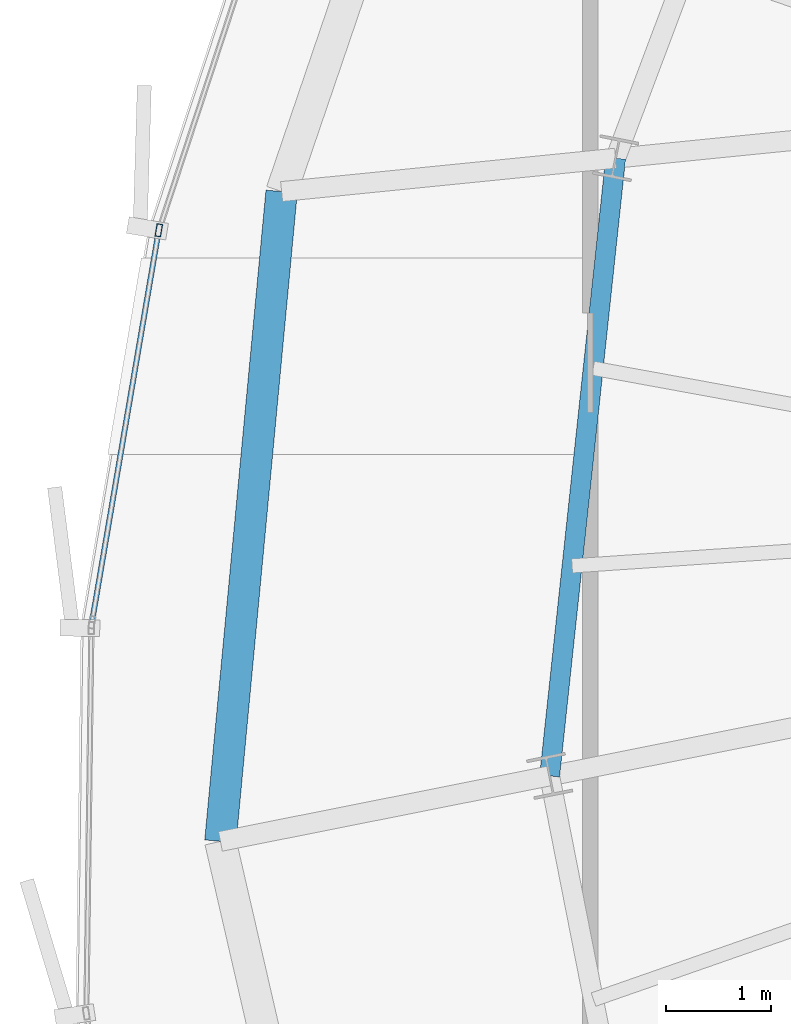
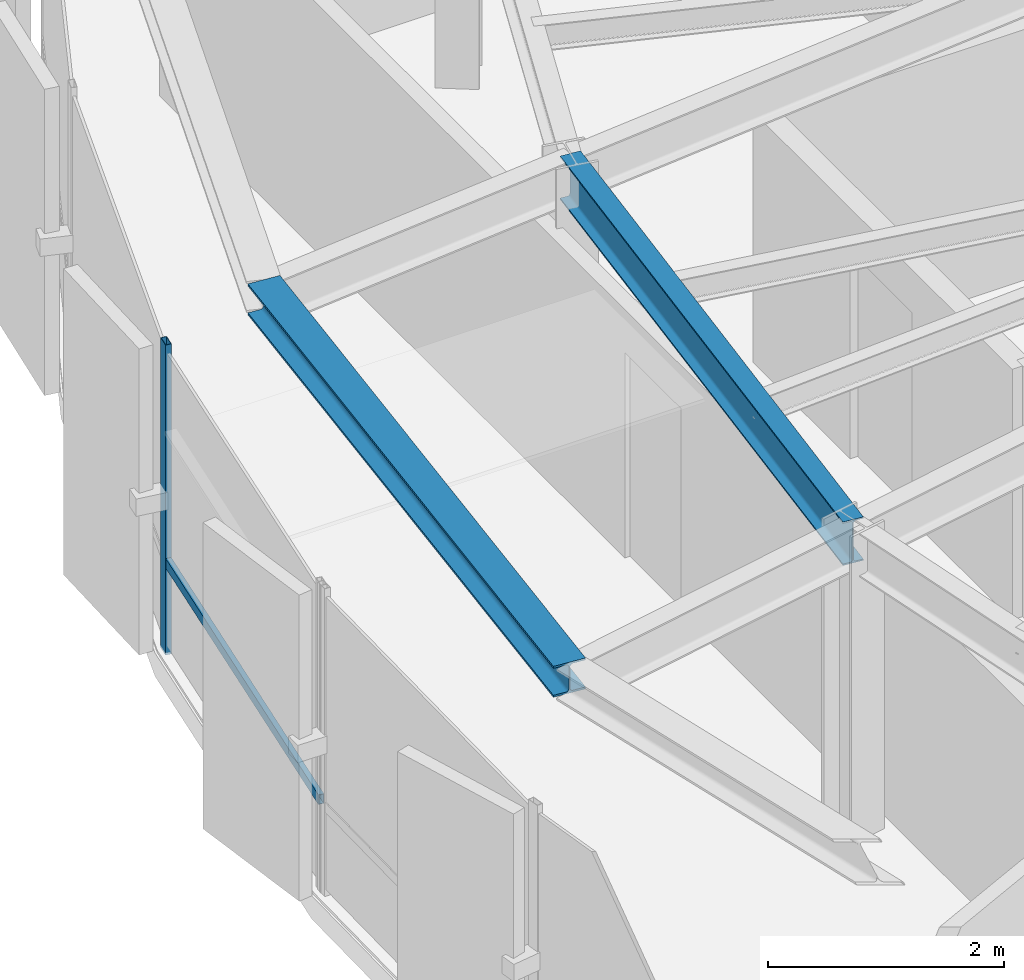
# One storey, part 10 of 32: 2 beams, 2 members, 1 element without a shape of its own.
"""IFC4 building model written with IfcOpenShell, lengths in metres."""

from ifc_helpers import new_model, si_unit, direction, frame, origin, origin_2d, place, context, subcontext, project, spatial, hollow_rectangle, i_section, extrude, source, transform, mapped, material, layer, layer_set, material_profile, profile_set, type_object, element, aggregate, save


model = new_model("IFC4")

# Units and contexts
model_context = context("Model", 3, precision=1e-05, world=origin(), true_north=direction((0.0, 1.0)))
body_context = subcontext(model_context, "Body", "Model", "MODEL_VIEW")
ifc_project = project(units=[si_unit("LENGTHUNIT", "METRE"), si_unit("AREAUNIT", "SQUARE_METRE"), si_unit("VOLUMEUNIT", "CUBIC_METRE"), si_unit("PLANEANGLEUNIT", "RADIAN"), si_unit("MASSUNIT", "GRAM", prefix="KILO"), si_unit("THERMODYNAMICTEMPERATUREUNIT", "KELVIN")], contexts=[model_context])

# Site, building, storey
site_placement = place(None, origin())
site = spatial("IfcSite", under=ifc_project, at=site_placement, CompositionType="ELEMENT")
building_placement = place(site_placement, origin())
building = spatial("IfcBuilding", under=site, at=building_placement, Name="Kethvar Cultural Tower", CompositionType="ELEMENT")
storey_placement = place(building_placement, frame((0.0, 0.0, 273.25)))
storey = spatial("IfcBuildingStorey", under=building, at=storey_placement, Name="L72", CompositionType="ELEMENT", Elevation=273.25)

# Beams
ifc_material_1 = material(Name="Steel S355J2", Category="steel")
ifc_material_profile_1 = material_profile(ifc_material_1, i_section(OverallWidth=0.18994140625, OverallDepth=0.449951171875, WebThickness=0.009521484375, FlangeThickness=0.0146484375, FilletRadius=0.02099609375, at=origin_2d()), Name="Steel S355J2 — IPE450")
ifc_profile_set_1 = profile_set([ifc_material_profile_1], Name="Steel S355J2 — IPE450")
beam_type_1 = type_object("IfcBeamType", Name="BM-IPE450", PredefinedType="BEAM", material=ifc_profile_set_1)
shared_shape_1 = source(origin(), body_context, "Body", "SweptSolid", [
    extrude(i_section(OverallWidth=0.18994140625, OverallDepth=0.449951171875, WebThickness=0.009521484375, FlangeThickness=0.0146484375, FilletRadius=0.02099609375, at=origin_2d()), origin(), (0.0, 0.0, 1.0), 5.92236328125),
])
beam_1_placement = place(storey_placement, frame((32.3125, 30.681884765625, 2.98291015625), z_axis=(-0.106272578913, -0.994337034899, 0.0), x_axis=(0.994337034899, -0.106272578913, 0.0)))
element("IfcBeam", 1, at=beam_1_placement, inside=storey, type_object=beam_type_1, Name="L72 Column Ring Tie Beam CR-08", PredefinedType="BEAM", context=body_context, shape_type="MappedRepresentation", body=[
    mapped(shared_shape_1, transform((0.0, 0.0, 0.0), scale=1.0)),
])
ifc_material_profile_2 = material_profile(ifc_material_1, i_section(OverallWidth=0.300048828125, OverallDepth=0.320068359375, WebThickness=0.011474609375, FlangeThickness=0.0205078125, FilletRadius=0.027099609375, at=origin_2d()), Name="Steel S355J2 — HEB320")
ifc_profile_set_2 = profile_set([ifc_material_profile_2], Name="Steel S355J2 — HEB320")
beam_type_2 = type_object("IfcBeamType", Name="BM-SP320", PredefinedType="SPANDREL", material=ifc_profile_set_2)
shared_shape_2 = source(origin(), body_context, "Body", "SweptSolid", [
    extrude(i_section(OverallWidth=0.300048828125, OverallDepth=0.320068359375, WebThickness=0.011474609375, FlangeThickness=0.0205078125, FilletRadius=0.027099609375, at=origin_2d()), origin(), (0.0, 0.0, 1.0), 6.222412109375),
])
beam_2_placement = place(storey_placement, frame((29.128173828125, 30.36376953125, 3.048095703125), z_axis=(-0.093811063392, -0.995590018223, 0.0), x_axis=(0.995590018223, -0.093811063392, 0.0)))
element("IfcBeam", 2, at=beam_2_placement, inside=storey, type_object=beam_type_2, Name="L72 Perimeter Spandrel Beam SP-08", PredefinedType="SPANDREL", context=body_context, shape_type="MappedRepresentation", body=[
    mapped(shared_shape_2, transform((0.0, 0.0, 0.0), scale=1.0)),
])

# Curtain wall, members
ifc_material_2 = material(Name="Aluminium 6063-T6", Category="aluminium")
ifc_layer = layer(ifc_material_2, 0.179931640625, Name="Aluminium 6063-T6", Category="aluminium")
ifc_layer_set = layer_set([ifc_layer], Name="Aluminium 6063-T6 (180 mm)")
curtain_wall_type = type_object("IfcCurtainWallType", Name="CW-SYS-05-Z56", PredefinedType="NOTDEFINED", material=ifc_layer_set)
curtain_wall_placement = place(storey_placement, origin())
curtain_wall = element("IfcCurtainWall", 3, at=curtain_wall_placement, inside=storey, type_object=curtain_wall_type, Name="L72 Curtain Wall Run 02", PredefinedType="NOTDEFINED")
ifc_material_profile_3 = material_profile(ifc_material_2, hollow_rectangle(XDim=0.054931640625, YDim=0.1201171875, WallThickness=0.00390625, at=origin_2d()), Name="Aluminium 6063-T6 — RHS120x55x4")
ifc_profile_set_3 = profile_set([ifc_material_profile_3], Name="Aluminium 6063-T6 — RHS120x55x4")
member_type_1 = type_object("IfcMemberType", Name="CW-SYS-05-Z56-MUL", PredefinedType="MULLION", material=ifc_profile_set_3)
shared_shape_3 = source(origin(), body_context, "Body", "SweptSolid", [
    extrude(hollow_rectangle(XDim=0.054931640625, YDim=0.1201171875, WallThickness=0.00390625, at=origin_2d()), origin(), (0.0, 0.0, 1.0), 3.2099609375),
])
member_1_placement = place(storey_placement, frame((27.95703125, 29.99462890625, 0.0), z_axis=(0.0, 0.0, 1.0), x_axis=(0.985765157463, -0.168128089065, 0.0)))
member_1 = element("IfcMember", 4, at=member_1_placement, type_object=member_type_1, Name="CW-L72-R02 Mullion 6", PredefinedType="MULLION", context=body_context, shape_type="MappedRepresentation", body=[
    mapped(shared_shape_3, transform((0.0, 0.0, 0.0), scale=1.0)),
])
ifc_material_profile_4 = material_profile(ifc_material_2, hollow_rectangle(XDim=0.050048828125, YDim=0.10009765625, WallThickness=0.00390625, at=origin_2d()), Name="Aluminium 6063-T6 — RHS100x50x4")
ifc_profile_set_4 = profile_set([ifc_material_profile_4], Name="Aluminium 6063-T6 — RHS100x50x4")
member_type_2 = type_object("IfcMemberType", Name="CW-SYS-05-Z56-TRN", PredefinedType="USERDEFINED", material=ifc_profile_set_4)
shared_shape_4 = source(origin(), body_context, "Body", "SweptSolid", [
    extrude(hollow_rectangle(XDim=0.050048828125, YDim=0.10009765625, WallThickness=0.00390625, at=origin_2d()), origin(), (0.0, 0.0, 1.0), 3.74755859375),
])
member_2_placement = place(storey_placement, frame((27.9501953125, 29.955810546875, 0.949951171875), z_axis=(-0.168074137129, -0.985774357766, 0.0), x_axis=(0.985774357766, -0.168074137129, 0.0)))
member_2 = element("IfcMember", 5, at=member_2_placement, type_object=member_type_2, Name="CW-L72-R02 Transom 6", ObjectType="TRANSOM", PredefinedType="USERDEFINED", context=body_context, shape_type="MappedRepresentation", body=[
    mapped(shared_shape_4, transform((0.0, 0.0, 0.0), scale=1.0)),
])
aggregate(curtain_wall, [member_1, member_2])

save(model, "model.ifc")
